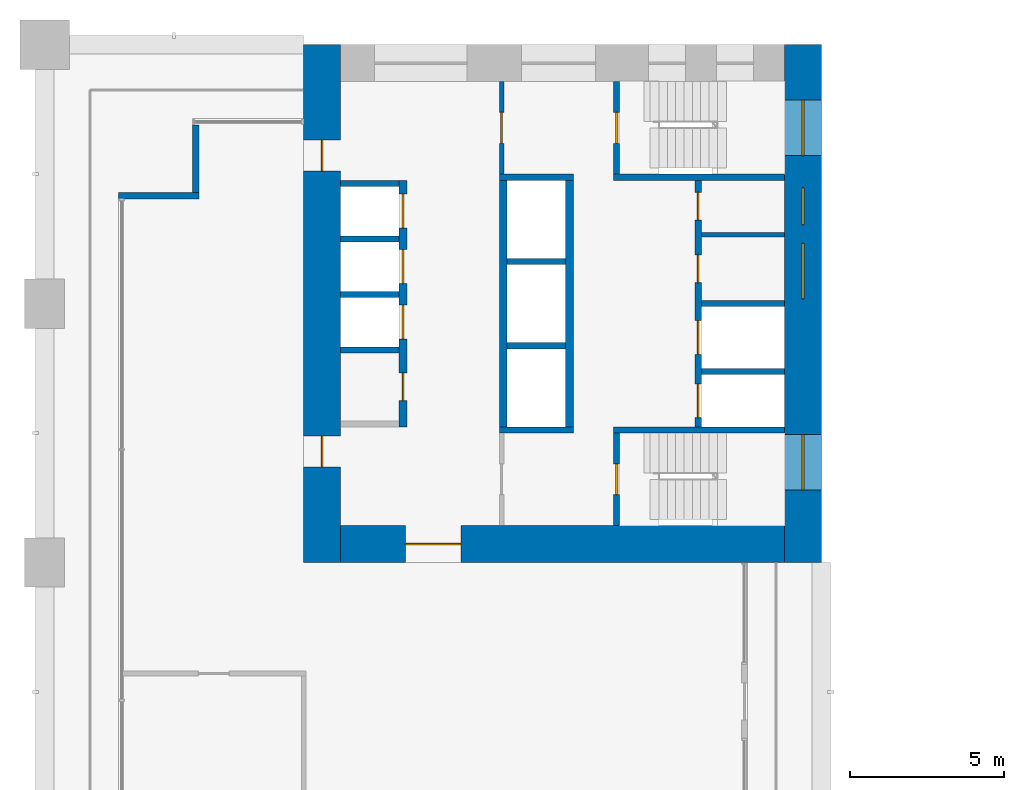
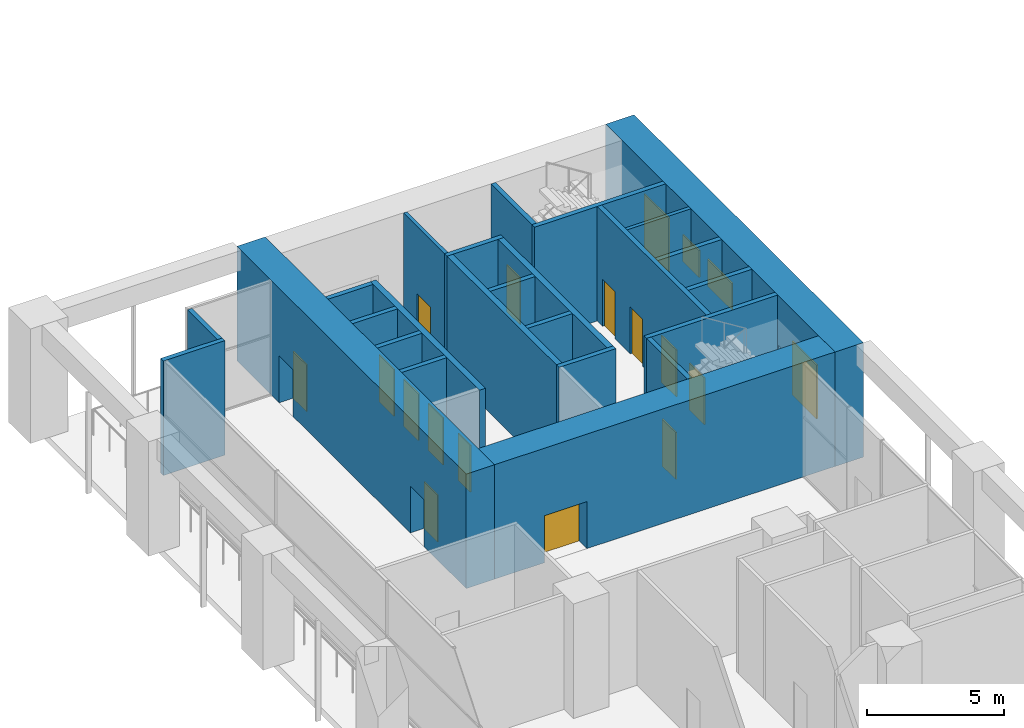
# One storey, part 17 of 32: 25 walls, 14 doors, 4 windows, 18 openings.
"""IFC4 building model written with IfcOpenShell, lengths in metres."""

import ifcopenshell
import ifcopenshell.guid

model = None  # the IFC model being written
_history = None  # IfcOwnerHistory: only IFC2X3 demands one
_inside = {}  # id of a spatial element -> (the spatial element, [elements in it])
_under = {}  # id of a project, library or spatial element -> (it, [spatial elements below it])
_declared = {}  # id of a project -> (the project, [libraries it declares])
_typed = {}  # id of a type object -> (the type object, [elements of that type])
_made_of = {}  # id of a material, layer set ... -> (it, [elements and type objects made of it])


def new_model(schema):
    """Start an empty IFC model of exactly this schema.

    Asked for "IFC4X3", IfcOpenShell would pick the latest addendum, in which some entities
    have other attributes; the version numbers below select the first issue.
    IFC2X3 requires an IfcOwnerHistory on every rooted entity: one is made here for all.
    """
    global model, _history
    if schema == "IFC4X3":
        model = ifcopenshell.file(schema_version=(4, 3, 0, 0))
    else:
        model = ifcopenshell.file(schema=schema)
    _inside.clear()
    _under.clear()
    _declared.clear()
    _typed.clear()
    _made_of.clear()
    _history = None
    if model.schema == "IFC2X3":
        org = make("IfcOrganization", Name="unknown")
        user = make(
            "IfcPersonAndOrganization",
            ThePerson=make("IfcPerson", FamilyName="unknown"),
            TheOrganization=org,
        )
        app = make(
            "IfcApplication",
            ApplicationDeveloper=org,
            Version="unknown",
            ApplicationFullName="unknown",
            ApplicationIdentifier="unknown",
        )
        _history = make(
            "IfcOwnerHistory",
            OwningUser=user,
            OwningApplication=app,
            ChangeAction="ADDED",
            CreationDate=0,
        )
    return model


def make(cls, **values):
    """One entity of the class cls with the attributes given. An attribute that is None is left unset."""
    return model.create_entity(
        cls, **{name: value for name, value in values.items() if value is not None}
    )


def rooted(cls, **values):
    """An entity with a GlobalId (a new one), such as an element, a storey or a relation."""
    return make(cls, GlobalId=ifcopenshell.guid.new(), OwnerHistory=_history, **values)


def si_unit(unit_type, name, prefix=None):
    """IfcSIUnit, for example si_unit("LENGTHUNIT", "METRE", prefix="MILLI")."""
    return make("IfcSIUnit", UnitType=unit_type, Prefix=prefix, Name=name)


def assignment(units):
    """IfcUnitAssignment: the units of a project."""
    return None if units is None else make("IfcUnitAssignment", Units=units)


def point(xyz):
    """IfcCartesianPoint."""
    return None if xyz is None else make("IfcCartesianPoint", Coordinates=xyz)


def direction(xyz):
    """IfcDirection."""
    return None if xyz is None else make("IfcDirection", DirectionRatios=xyz)


def frame(location, z_axis=None, x_axis=None):
    """IfcAxis2Placement3D, a coordinate frame: its origin and axes. An axis left out is left unset."""
    return make(
        "IfcAxis2Placement3D",
        Location=point(location),
        Axis=direction(z_axis),
        RefDirection=direction(x_axis),
    )


def frame_2d(location, x_axis=None):
    """IfcAxis2Placement2D, a coordinate frame in the plane: its origin and x axis."""
    return make(
        "IfcAxis2Placement2D", Location=point(location), RefDirection=direction(x_axis)
    )


def origin():
    """The frame at (0, 0, 0) with its axes left unset."""
    return frame((0.0, 0.0, 0.0))


def place(relative_to, where):
    """IfcLocalPlacement: puts the frame where relative to a parent placement (None: the world)."""
    return make(
        "IfcLocalPlacement", PlacementRelTo=relative_to, RelativePlacement=where
    )


def context(
    kind, dimensions, precision=None, world=None, true_north=None, identifier=None
):
    """IfcGeometricRepresentationContext, for example the 3D "Model" context."""
    return make(
        "IfcGeometricRepresentationContext",
        ContextIdentifier=identifier,
        ContextType=kind,
        CoordinateSpaceDimension=dimensions,
        Precision=precision,
        WorldCoordinateSystem=world,
        TrueNorth=true_north,
    )


def subcontext(parent, identifier, kind, view, scale=None):
    """IfcGeometricRepresentationSubContext, for example "Body" below "Model"."""
    return make(
        "IfcGeometricRepresentationSubContext",
        ContextIdentifier=identifier,
        ContextType=kind,
        ParentContext=parent,
        TargetScale=scale,
        TargetView=view,
    )


def project(units=None, contexts=None):
    """IfcProject with its units and contexts."""
    return rooted(
        "IfcProject",
        Name="project",
        RepresentationContexts=contexts,
        UnitsInContext=assignment(units),
    )


def spatial(cls, under=None, at=None, **own):
    """A site, building, storey or space (cls), placed at a placement, below another one or the project."""
    s = rooted(cls, ObjectPlacement=at, **own)
    if under is not None:
        _under.setdefault(under.id(), (under, []))[1].append(s)
    return s


def profile(cls, at=None, kind="AREA", **sizes):
    """A parametric profile (cls). Its sizes go by their IFC names, for example OverallWidth=200.0."""
    return make(cls, ProfileType=kind, Position=at, **sizes)


def rectangle(**sizes):
    """IfcRectangleProfileDef."""
    return profile("IfcRectangleProfileDef", **sizes)


def extrude(swept, where, along, depth):
    """IfcExtrudedAreaSolid: the profile swept, set in the frame where, extruded along a direction by depth."""
    return make(
        "IfcExtrudedAreaSolid",
        SweptArea=swept,
        Position=where,
        ExtrudedDirection=direction(along),
        Depth=depth,
    )


def shape(context_of_items, identifier, shape_type, items):
    """IfcShapeRepresentation: the items that make up one representation, for example the "Body"."""
    return make(
        "IfcShapeRepresentation",
        ContextOfItems=context_of_items,
        RepresentationIdentifier=identifier,
        RepresentationType=shape_type,
        Items=items,
    )


def material(Name=None, Category=None):
    """IfcMaterial."""
    return make("IfcMaterial", Name=Name, Category=Category)


def layer(
    of_material, thickness, ventilated=None, Name=None, Category=None, Priority=None
):
    """IfcMaterialLayer: one layer of a wall or slab, of a material (None: an air gap)."""
    return make(
        "IfcMaterialLayer",
        Material=of_material,
        LayerThickness=thickness,
        IsVentilated=ventilated,
        Name=Name,
        Category=Category,
        Priority=Priority,
    )


def layer_set(layers, Name=None):
    """IfcMaterialLayerSet."""
    return make("IfcMaterialLayerSet", MaterialLayers=layers, LayerSetName=Name)


def made_of(thing, what):
    """Note that an element or type object is made of a material, layer set ...; save() writes the relation."""
    if what is not None:
        _made_of.setdefault(what.id(), (what, []))[1].append(thing)
    return thing


def type_object(cls, material=None, **own):
    """A type object (cls), such as IfcWallType, which elements share."""
    return made_of(rooted(cls, **own), material)


def element(
    cls,
    number,
    at=None,
    inside=None,
    cuts=None,
    type_object=None,
    material=None,
    context=None,
    identifier="Body",
    shape_type=None,
    held_by="IfcProductDefinitionShape",
    body=None,
    shapes=None,
    **own,
):
    """One element of the class cls, such as IfcWall. Its Tag is "e" and its number.

    at: its placement. inside: the storey or other place that contains it. cuts: it is an
    opening in that element (IfcRelVoidsElement). A single representation is given by context,
    identifier, shape_type and body (its items); several are given by shapes. held_by: the class
    of the entity that holds the representations. save() writes the other relations.
    """
    e = rooted(cls, Tag="e%d" % number, ObjectPlacement=at, **own)
    if body is not None:
        shapes = [shape(context, identifier, shape_type, body)]
    if shapes is not None:
        e.Representation = make(held_by, Representations=shapes)
    if inside is not None:
        _inside.setdefault(inside.id(), (inside, []))[1].append(e)
    if cuts is not None:
        rooted(
            "IfcRelVoidsElement", RelatingBuildingElement=cuts, RelatedOpeningElement=e
        )
    if type_object is not None:
        _typed.setdefault(type_object.id(), (type_object, []))[1].append(e)
    return made_of(e, material)


def fill(opening, filler):
    """IfcRelFillsElement: the door or window that sits in an opening."""
    return rooted(
        "IfcRelFillsElement",
        RelatingOpeningElement=opening,
        RelatedBuildingElement=filler,
    )


def aggregate(whole, parts):
    """IfcRelAggregates: a whole, such as a stair, and the parts it consists of."""
    return rooted("IfcRelAggregates", RelatingObject=whole, RelatedObjects=parts)


def save(model, path):
    """Write the relations noted so far, then the file.

    IfcRelAggregates (storeys below a building ...), IfcRelContainedInSpatialStructure (elements
    in a storey), IfcRelDefinesByType, IfcRelAssociatesMaterial and IfcRelDeclares: one each for
    every whole, place, type object, material and project.
    """
    for whole, parts in _under.values():
        aggregate(whole, parts)
    for where, things in _inside.values():
        rooted(
            "IfcRelContainedInSpatialStructure",
            RelatedElements=things,
            RelatingStructure=where,
        )
    for kind, things in _typed.values():
        rooted("IfcRelDefinesByType", RelatedObjects=things, RelatingType=kind)
    for what, things in _made_of.values():
        rooted("IfcRelAssociatesMaterial", RelatedObjects=things, RelatingMaterial=what)
    for by, libraries in _declared.values():
        rooted("IfcRelDeclares", RelatingContext=by, RelatedDefinitions=libraries)
    model.write(path)


model = new_model("IFC4")

# Units and contexts
model_context = context("Model", 3, precision=1e-05, world=origin(), true_north=direction((0.0, 1.0)))
body_context = subcontext(model_context, "Body", "Model", "MODEL_VIEW")
ifc_project = project(units=[si_unit("LENGTHUNIT", "METRE"), si_unit("AREAUNIT", "SQUARE_METRE"), si_unit("VOLUMEUNIT", "CUBIC_METRE"), si_unit("PLANEANGLEUNIT", "RADIAN"), si_unit("MASSUNIT", "GRAM", prefix="KILO")], contexts=[model_context])

# Site, building, storey
site_placement = place(None, origin())
site = spatial("IfcSite", under=ifc_project, at=site_placement, CompositionType="ELEMENT")
building_placement = place(site_placement, origin())
building = spatial("IfcBuilding", under=site, at=building_placement, Name="Vermilion Gate Residences", CompositionType="ELEMENT")
storey_placement = place(building_placement, frame((0.0, 0.0, 19.800048828125)))
storey = spatial("IfcBuildingStorey", under=building, at=storey_placement, Name="L03", CompositionType="ELEMENT", Elevation=19.800048828125)

# Wall
ifc_material_1 = material(Name="Masonry blockwork", Category="masonry")
ifc_layer_1 = layer(ifc_material_1, 0.14990234375)
ifc_layer_set_1 = layer_set([ifc_layer_1], Name="BLOCKWORK PARTITION 150 EI 120")
wall_type_1 = type_object("IfcWallType", Name="BLOCKWORK PARTITION 150 EI 120", PredefinedType="PARTITIONING", material=ifc_layer_set_1)
wall_1_placement = place(storey_placement, frame((21.300048828125, 52.637451171875, 0.0), z_axis=(0.0, 0.0, 1.0), x_axis=(1.0, 0.0, 0.0)))
element("IfcWall", 1, at=wall_1_placement, inside=storey, type_object=wall_type_1, Name="Core room partition B03-NR-P0", PredefinedType="PARTITIONING", context=body_context, shape_type="SweptSolid", body=[
    extrude(rectangle(XDim=2.699951171875, YDim=0.14990234375, at=frame_2d((1.35009765625, 0.0))), origin(), (0.0, 0.0, 1.0), 5.119873046875),
])

# Wall, opening, door
wall_2_placement = place(storey_placement, frame((14.824951171875, 57.60009765625, 0.0), z_axis=(0.0, 0.0, 1.0), x_axis=(0.0, -1.0, 0.0)))
wall_2 = element("IfcWall", 2, at=wall_2_placement, inside=storey, type_object=wall_type_1, Name="Core room partition B03-VW-S", PredefinedType="PARTITIONING", context=body_context, shape_type="SweptSolid", body=[
    extrude(rectangle(XDim=3.0, YDim=0.14990234375, at=frame_2d((1.5, 0.0))), origin(), (0.0, 0.0, 1.0), 5.119873046875),
])
opening_1_placement = place(wall_2_placement, frame((1.0, 0.0, 0.0)))
opening_1 = element("IfcOpeningElement", 3, at=opening_1_placement, cuts=wall_2, Name="Opening DK03112", PredefinedType="OPENING", context=body_context, shape_type="SweptSolid", body=[
    extrude(rectangle(XDim=1.0, YDim=2.10009765625, at=frame_2d((0.5, 1.050048828125))), frame((0.0, 0.0849609375, 0.0), z_axis=(0.0, -1.0, 0.0), x_axis=(1.0, 0.0, 0.0)), (0.0, 0.0, 1.0), 0.169921875),
])
ifc_material_2 = material(Name="Steel", Category="steel")
door_type_1 = type_object("IfcDoorType", Name="FIRE DOOR FD60 1000 X 2100", OperationType="SINGLE_SWING_LEFT", PredefinedType="DOOR", material=ifc_material_2)
door_1_placement = place(opening_1_placement, frame((1.0, 0.0, 0.0), z_axis=(0.0, 0.0, 1.0), x_axis=(-1.0, 0.0, 0.0)))
door_1 = element("IfcDoor", 4, at=door_1_placement, inside=storey, type_object=door_type_1, Name="Stair vestibule door B03", OperationType="SINGLE_SWING_RIGHT", OverallHeight=2.10009765625, OverallWidth=1.0, PredefinedType="DOOR", context=body_context, shape_type="SweptSolid", body=[
    extrude(rectangle(XDim=1.0, YDim=2.10009765625, at=frame_2d((0.5, 1.050048828125))), frame((0.0, 0.02490234375, 0.0), z_axis=(0.0, -1.0, 0.0), x_axis=(1.0, 0.0, 0.0)), (0.0, 0.0, 1.0), 0.050048828125),
])
fill(opening_1, door_1)

# Walls
ifc_material_3 = material(Name="Insulated steel stud wall with terracotta rainscreen", Category="masonry")
ifc_layer_2 = layer(ifc_material_3, 0.199951171875)
ifc_layer_set_2 = layer_set([ifc_layer_2], Name="EXTERNAL WALL 200 TERRACOTTA RAINSCREEN")
wall_type_2 = type_object("IfcWallType", Name="EXTERNAL WALL 200 TERRACOTTA RAINSCREEN", PredefinedType="SOLIDWALL", material=ifc_layer_set_2)
wall_3_placement = place(storey_placement, frame((4.89990234375, 56.199951171875, 0.0), z_axis=(0.0, 0.0, 1.0), x_axis=(0.0, -1.0, 0.0)))
element("IfcWall", 5, at=wall_3_placement, inside=storey, type_object=wall_type_2, Name="External wall", PredefinedType="SOLIDWALL", context=body_context, shape_type="SweptSolid", body=[
    extrude(rectangle(XDim=2.199951171875, YDim=0.199951171875, at=frame_2d((1.10009765625, 0.0))), origin(), (0.0, 0.0, 1.0), 5.119873046875),
])
wall_4_placement = place(storey_placement, frame((5.0, 53.89990234375, 0.0), z_axis=(0.0, 0.0, 1.0), x_axis=(-1.0, 0.0, 0.0)))
element("IfcWall", 6, at=wall_4_placement, inside=storey, type_object=wall_type_2, Name="External wall", PredefinedType="SOLIDWALL", context=body_context, shape_type="SweptSolid", body=[
    extrude(rectangle(XDim=2.60009765625, YDim=0.199951171875, at=frame_2d((1.300048828125, 0.0))), origin(), (0.0, 0.0, 1.0), 5.119873046875),
])
ifc_material_4 = material(Name="Concrete C60", Category="concrete")
ifc_layer_3 = layer(ifc_material_4, 0.199951171875)
ifc_layer_set_3 = layer_set([ifc_layer_3], Name="RC CORE INTERNAL WALL 200 C60")
wall_type_3 = type_object("IfcWallType", Name="RC CORE INTERNAL WALL 200 C60", PredefinedType="SHEAR", material=ifc_layer_set_3)
for number, where, z_axis, x_axis, name in (
    (7, (9.60009765625, 54.300048828125, 0.0), (0.0, 0.0, 1.0), (1.0, 0.0, 0.0), "Core internal wall B03-LR-D0"),
    (8, (9.60009765625, 52.5, 0.0), (0.0, 0.0, 1.0), (1.0, 0.0, 0.0), "Core internal wall B03-LR-D1"),
    (9, (9.60009765625, 50.699951171875, 0.0), (0.0, 0.0, 1.0), (1.0, 0.0, 0.0), "Core internal wall B03-LR-D2"),
    (10, (9.60009765625, 48.89990234375, 0.0), (0.0, 0.0, 1.0), (1.0, 0.0, 0.0), "Core internal wall B03-LR-D3"),
    (11, (15.0, 51.7666015625, 0.0), (0.0, 0.0, 1.0), (1.0, 0.0, 0.0), "Core internal wall B03-HR-D1"),
    (12, (15.0, 49.033447265625, 0.0), (0.0, 0.0, 1.0), (1.0, 0.0, 0.0), "Core internal wall B03-HR-D2"),
):
    element("IfcWall", number, at=place(storey_placement, frame(where, z_axis=z_axis, x_axis=x_axis)), inside=storey, type_object=wall_type_3, Name=name, PredefinedType="SHEAR", context=body_context, shape_type="SweptSolid", body=[
        extrude(rectangle(XDim=1.89990234375, YDim=0.199951171875, at=frame_2d((0.949951171875, 0.0))), origin(), (0.0, 0.0, 1.0), 5.119873046875),
    ])
for number, where, z_axis, x_axis, name in (
    (13, (21.300048828125, 50.39990234375, 0.0), (0.0, 0.0, 1.0), (1.0, 0.0, 0.0), "Core internal wall B03-FF-D0"),
    (14, (21.300048828125, 48.199951171875, 0.0), (0.0, 0.0, 1.0), (1.0, 0.0, 0.0), "Core internal wall B03-FF-D1"),
):
    element("IfcWall", number, at=place(storey_placement, frame(where, z_axis=z_axis, x_axis=x_axis)), inside=storey, type_object=wall_type_3, Name=name, PredefinedType="SHEAR", context=body_context, shape_type="SweptSolid", body=[
        extrude(rectangle(XDim=2.699951171875, YDim=0.199951171875, at=frame_2d((1.35009765625, 0.0))), origin(), (0.0, 0.0, 1.0), 5.119873046875),
    ])

# Wall, openings, doors
wall_5_placement = place(storey_placement, frame((21.199951171875, 54.39990234375, 0.0), z_axis=(0.0, 0.0, 1.0), x_axis=(0.0, -1.0, 0.0)))
wall_5 = element("IfcWall", 15, at=wall_5_placement, inside=storey, type_object=wall_type_3, Name="Core internal wall B03-FF-F", PredefinedType="SHEAR", context=body_context, shape_type="SweptSolid", body=[
    extrude(rectangle(XDim=8.0, YDim=0.199951171875, at=frame_2d((4.0, 0.0))), origin(), (0.0, 0.0, 1.0), 5.119873046875),
])
opening_2_placement = place(wall_5_placement, frame((0.393798828125, 0.0, 0.0)))
opening_2 = element("IfcOpeningElement", 16, at=opening_2_placement, cuts=wall_5, Name="Opening DK03108", PredefinedType="OPENING", context=body_context, shape_type="SweptSolid", body=[
    extrude(rectangle(XDim=0.89990234375, YDim=2.10009765625, at=frame_2d((0.449951171875, 1.050048828125))), frame((0.0, 0.10986328125, 0.0), z_axis=(0.0, -1.0, 0.0), x_axis=(1.0, 0.0, 0.0)), (0.0, 0.0, 1.0), 0.219970703125),
])
opening_3_placement = place(wall_5_placement, frame((2.418701171875, 0.0, 0.0)))
opening_3 = element("IfcOpeningElement", 17, at=opening_3_placement, cuts=wall_5, Name="Opening DK03109", PredefinedType="OPENING", context=body_context, shape_type="SweptSolid", body=[
    extrude(rectangle(XDim=0.89990234375, YDim=2.10009765625, at=frame_2d((0.449951171875, 1.050048828125))), frame((0.0, 0.10986328125, 0.0), z_axis=(0.0, -1.0, 0.0), x_axis=(1.0, 0.0, 0.0)), (0.0, 0.0, 1.0), 0.219970703125),
])
opening_4_placement = place(wall_5_placement, frame((4.550048828125, 0.0, 0.0)))
opening_4 = element("IfcOpeningElement", 18, at=opening_4_placement, cuts=wall_5, Name="Opening LD", PredefinedType="OPENING", context=body_context, shape_type="SweptSolid", body=[
    extrude(rectangle(XDim=1.10009765625, YDim=2.10009765625, at=frame_2d((0.550048828125, 1.050048828125))), frame((0.0, 0.10986328125, 0.0), z_axis=(0.0, -1.0, 0.0), x_axis=(1.0, 0.0, 0.0)), (0.0, 0.0, 1.0), 0.219970703125),
])
opening_5_placement = place(wall_5_placement, frame((6.60009765625, 0.0, 0.0)))
opening_5 = element("IfcOpeningElement", 19, at=opening_5_placement, cuts=wall_5, Name="Opening LD", PredefinedType="OPENING", context=body_context, shape_type="SweptSolid", body=[
    extrude(rectangle(XDim=1.10009765625, YDim=2.10009765625, at=frame_2d((0.550048828125, 1.050048828125))), frame((0.0, 0.10986328125, 0.0), z_axis=(0.0, -1.0, 0.0), x_axis=(1.0, 0.0, 0.0)), (0.0, 0.0, 1.0), 0.219970703125),
])
ifc_material_5 = material(Name="Stainless steel", Category="steel")
door_type_2 = type_object("IfcDoorType", Name="LIFT LANDING DOOR E60 1100 X 2100", OperationType="DOUBLE_DOOR_SLIDING", PredefinedType="DOOR", material=ifc_material_5)
door_2_placement = place(opening_4_placement, origin())
door_2 = element("IfcDoor", 20, at=door_2_placement, inside=storey, type_object=door_type_2, Name="Lift landing door LFB1", OperationType="DOUBLE_DOOR_SLIDING", OverallHeight=2.10009765625, OverallWidth=1.10009765625, PredefinedType="DOOR", context=body_context, shape_type="SweptSolid", body=[
    extrude(rectangle(XDim=1.10009765625, YDim=2.10009765625, at=frame_2d((0.550048828125, 1.050048828125))), frame((0.0, 0.02490234375, 0.0), z_axis=(0.0, -1.0, 0.0), x_axis=(1.0, 0.0, 0.0)), (0.0, 0.0, 1.0), 0.050048828125),
])
fill(opening_4, door_2)
door_3_placement = place(opening_5_placement, origin())
door_3 = element("IfcDoor", 21, at=door_3_placement, inside=storey, type_object=door_type_2, Name="Lift landing door LCB1", OperationType="DOUBLE_DOOR_SLIDING", OverallHeight=2.10009765625, OverallWidth=1.10009765625, PredefinedType="DOOR", context=body_context, shape_type="SweptSolid", body=[
    extrude(rectangle(XDim=1.10009765625, YDim=2.10009765625, at=frame_2d((0.550048828125, 1.050048828125))), frame((0.0, 0.02490234375, 0.0), z_axis=(0.0, -1.0, 0.0), x_axis=(1.0, 0.0, 0.0)), (0.0, 0.0, 1.0), 0.050048828125),
])
fill(opening_5, door_3)
ifc_material_6 = material(Name="Steel", Category="steel")
door_type_3 = type_object("IfcDoorType", Name="SERVICE ROOM DOOR FD60 900 X 2100", OperationType="SINGLE_SWING_LEFT", PredefinedType="DOOR", material=ifc_material_6)
door_4_placement = place(opening_2_placement, origin())
door_4 = element("IfcDoor", 22, at=door_4_placement, inside=storey, type_object=door_type_3, Name="Electrical riser B03", OperationType="SINGLE_SWING_RIGHT", OverallHeight=2.10009765625, OverallWidth=0.89990234375, PredefinedType="DOOR", context=body_context, shape_type="SweptSolid", body=[
    extrude(rectangle(XDim=0.89990234375, YDim=2.10009765625, at=frame_2d((0.449951171875, 1.050048828125))), frame((0.0, 0.02490234375, 0.0), z_axis=(0.0, -1.0, 0.0), x_axis=(1.0, 0.0, 0.0)), (0.0, 0.0, 1.0), 0.050048828125),
])
fill(opening_2, door_4)
door_5_placement = place(opening_3_placement, origin())
door_5 = element("IfcDoor", 23, at=door_5_placement, inside=storey, type_object=door_type_3, Name="Cleaner's store B03", OperationType="SINGLE_SWING_RIGHT", OverallHeight=2.10009765625, OverallWidth=0.89990234375, PredefinedType="DOOR", context=body_context, shape_type="SweptSolid", body=[
    extrude(rectangle(XDim=0.89990234375, YDim=2.10009765625, at=frame_2d((0.449951171875, 1.050048828125))), frame((0.0, 0.02490234375, 0.0), z_axis=(0.0, -1.0, 0.0), x_axis=(1.0, 0.0, 0.0)), (0.0, 0.0, 1.0), 0.050048828125),
])
fill(opening_3, door_5)

# Walls
wall_6_placement = place(storey_placement, frame((14.75, 54.5, 0.0), z_axis=(0.0, 0.0, 1.0), x_axis=(1.0, 0.0, 0.0)))
element("IfcWall", 24, at=wall_6_placement, inside=storey, type_object=wall_type_3, Name="Core internal wall B03-WDIV1", PredefinedType="SHEAR", context=body_context, shape_type="SweptSolid", body=[
    extrude(rectangle(XDim=2.39990234375, YDim=0.199951171875, at=frame_2d((1.199951171875, 0.0))), origin(), (0.0, 0.0, 1.0), 5.119873046875),
])
wall_7_placement = place(storey_placement, frame((18.449951171875, 54.5, 0.0), z_axis=(0.0, 0.0, 1.0), x_axis=(1.0, 0.0, 0.0)))
element("IfcWall", 25, at=wall_7_placement, inside=storey, type_object=wall_type_3, Name="Core internal wall B03-WDIV2", PredefinedType="SHEAR", context=body_context, shape_type="SweptSolid", body=[
    extrude(rectangle(XDim=5.550048828125, YDim=0.199951171875, at=frame_2d((2.77490234375, 0.0))), origin(), (0.0, 0.0, 1.0), 5.119873046875),
])

# Wall, opening, door
wall_8_placement = place(storey_placement, frame((18.550048828125, 57.60009765625, 0.0), z_axis=(0.0, 0.0, 1.0), x_axis=(0.0, -1.0, 0.0)))
wall_8 = element("IfcWall", 26, at=wall_8_placement, inside=storey, type_object=wall_type_3, Name="Core internal wall B03-STW-S", PredefinedType="SHEAR", context=body_context, shape_type="SweptSolid", body=[
    extrude(rectangle(XDim=3.0, YDim=0.199951171875, at=frame_2d((1.5, 0.0))), origin(), (0.0, 0.0, 1.0), 5.119873046875),
])
opening_6_placement = place(wall_8_placement, frame((1.0, 0.0, 0.0)))
opening_6 = element("IfcOpeningElement", 27, at=opening_6_placement, cuts=wall_8, Name="Opening DK03113", PredefinedType="OPENING", context=body_context, shape_type="SweptSolid", body=[
    extrude(rectangle(XDim=1.0, YDim=2.10009765625, at=frame_2d((0.5, 1.050048828125))), frame((0.0, 0.10986328125, 0.0), z_axis=(0.0, -1.0, 0.0), x_axis=(1.0, 0.0, 0.0)), (0.0, 0.0, 1.0), 0.219970703125),
])
door_6_placement = place(opening_6_placement, origin())
door_6 = element("IfcDoor", 28, at=door_6_placement, inside=storey, type_object=door_type_1, Name="Stair door B03", OperationType="SINGLE_SWING_LEFT", OverallHeight=2.10009765625, OverallWidth=1.0, PredefinedType="DOOR", context=body_context, shape_type="SweptSolid", body=[
    extrude(rectangle(XDim=1.0, YDim=2.10009765625, at=frame_2d((0.5, 1.050048828125))), frame((0.0, 0.02490234375, 0.0), z_axis=(0.0, -1.0, 0.0), x_axis=(1.0, 0.0, 0.0)), (0.0, 0.0, 1.0), 0.050048828125),
])
fill(opening_6, door_6)

# Walls
wall_9_placement = place(storey_placement, frame((14.75, 46.300048828125, 0.0), z_axis=(0.0, 0.0, 1.0), x_axis=(1.0, 0.0, 0.0)))
element("IfcWall", 29, at=wall_9_placement, inside=storey, type_object=wall_type_3, Name="Core internal wall B03-EDIV1", PredefinedType="SHEAR", context=body_context, shape_type="SweptSolid", body=[
    extrude(rectangle(XDim=2.39990234375, YDim=0.199951171875, at=frame_2d((1.199951171875, 0.0))), origin(), (0.0, 0.0, 1.0), 5.119873046875),
])
wall_10_placement = place(storey_placement, frame((18.449951171875, 46.300048828125, 0.0), z_axis=(0.0, 0.0, 1.0), x_axis=(1.0, 0.0, 0.0)))
element("IfcWall", 30, at=wall_10_placement, inside=storey, type_object=wall_type_3, Name="Core internal wall B03-EDIV2", PredefinedType="SHEAR", context=body_context, shape_type="SweptSolid", body=[
    extrude(rectangle(XDim=5.550048828125, YDim=0.199951171875, at=frame_2d((2.77490234375, 0.0))), origin(), (0.0, 0.0, 1.0), 5.119873046875),
])

# Wall, opening, door
wall_11_placement = place(storey_placement, frame((18.550048828125, 46.199951171875, 0.0), z_axis=(0.0, 0.0, 1.0), x_axis=(0.0, -1.0, 0.0)))
wall_11 = element("IfcWall", 31, at=wall_11_placement, inside=storey, type_object=wall_type_3, Name="Core internal wall B03-STE-S", PredefinedType="SHEAR", context=body_context, shape_type="SweptSolid", body=[
    extrude(rectangle(XDim=3.0, YDim=0.199951171875, at=frame_2d((1.5, 0.0))), origin(), (0.0, 0.0, 1.0), 5.119873046875),
])
opening_7_placement = place(wall_11_placement, frame((1.0, 0.0, 0.0)))
opening_7 = element("IfcOpeningElement", 32, at=opening_7_placement, cuts=wall_11, Name="Opening DK03115", PredefinedType="OPENING", context=body_context, shape_type="SweptSolid", body=[
    extrude(rectangle(XDim=1.0, YDim=2.10009765625, at=frame_2d((0.5, 1.050048828125))), frame((0.0, 0.10986328125, 0.0), z_axis=(0.0, -1.0, 0.0), x_axis=(1.0, 0.0, 0.0)), (0.0, 0.0, 1.0), 0.219970703125),
])
door_7_placement = place(opening_7_placement, origin())
door_7 = element("IfcDoor", 33, at=door_7_placement, inside=storey, type_object=door_type_1, Name="Stair door B03", OperationType="SINGLE_SWING_LEFT", OverallHeight=2.10009765625, OverallWidth=1.0, PredefinedType="DOOR", context=body_context, shape_type="SweptSolid", body=[
    extrude(rectangle(XDim=1.0, YDim=2.10009765625, at=frame_2d((0.5, 1.050048828125))), frame((0.0, 0.02490234375, 0.0), z_axis=(0.0, -1.0, 0.0), x_axis=(1.0, 0.0, 0.0)), (0.0, 0.0, 1.0), 0.050048828125),
])
fill(opening_7, door_7)

# Wall, openings, doors
ifc_material_7 = material(Name="Concrete C80", Category="concrete")
ifc_layer_4 = layer(ifc_material_7, 1.199951171875)
ifc_layer_set_4 = layer_set([ifc_layer_4], Name="RC CORE WALL 1200 C80")
wall_type_4 = type_object("IfcWallType", Name="RC CORE WALL 1200 C80", PredefinedType="SHEAR", material=ifc_layer_set_4)
wall_12_placement = place(storey_placement, frame((9.0, 58.800048828125, 0.0), z_axis=(0.0, 0.0, 1.0), x_axis=(0.0, -1.0, 0.0)))
wall_12 = element("IfcWall", 34, at=wall_12_placement, inside=storey, type_object=wall_type_4, Name="Core wall B03-OUT-B0", PredefinedType="SHEAR", context=body_context, shape_type="SweptSolid", body=[
    extrude(rectangle(XDim=16.800048828125, YDim=1.199951171875, at=frame_2d((8.39990234375, 0.0))), origin(), (0.0, 0.0, 1.0), 5.119873046875),
])
opening_8_placement = place(wall_12_placement, frame((3.10009765625, 0.0, 0.0)))
opening_8 = element("IfcOpeningElement", 35, at=opening_8_placement, cuts=wall_12, Name="Opening DK03101", PredefinedType="OPENING", context=body_context, shape_type="SweptSolid", body=[
    extrude(rectangle(XDim=1.0, YDim=2.10009765625, at=frame_2d((0.5, 1.050048828125))), frame((0.0, 0.60986328125, 0.0), z_axis=(0.0, -1.0, 0.0), x_axis=(1.0, 0.0, 0.0)), (0.0, 0.0, 1.0), 1.219970703125),
])
opening_9_placement = place(wall_12_placement, frame((12.699951171875, 0.0, 0.0)))
opening_9 = element("IfcOpeningElement", 36, at=opening_9_placement, cuts=wall_12, Name="Opening DK03102", PredefinedType="OPENING", context=body_context, shape_type="SweptSolid", body=[
    extrude(rectangle(XDim=1.0, YDim=2.10009765625, at=frame_2d((0.5, 1.050048828125))), frame((0.0, 0.60986328125, 0.0), z_axis=(0.0, -1.0, 0.0), x_axis=(1.0, 0.0, 0.0)), (0.0, 0.0, 1.0), 1.219970703125),
])
door_8_placement = place(opening_8_placement, origin())
door_8 = element("IfcDoor", 37, at=door_8_placement, inside=storey, type_object=door_type_1, Name="Core lobby side door B03", OperationType="SINGLE_SWING_RIGHT", OverallHeight=2.10009765625, OverallWidth=1.0, PredefinedType="DOOR", context=body_context, shape_type="SweptSolid", body=[
    extrude(rectangle(XDim=1.0, YDim=2.10009765625, at=frame_2d((0.5, 1.050048828125))), frame((0.0, 0.02490234375, 0.0), z_axis=(0.0, -1.0, 0.0), x_axis=(1.0, 0.0, 0.0)), (0.0, 0.0, 1.0), 0.050048828125),
])
fill(opening_8, door_8)
door_9_placement = place(opening_9_placement, origin())
door_9 = element("IfcDoor", 38, at=door_9_placement, inside=storey, type_object=door_type_1, Name="Core lobby side door B03", OperationType="SINGLE_SWING_LEFT", OverallHeight=2.10009765625, OverallWidth=1.0, PredefinedType="DOOR", context=body_context, shape_type="SweptSolid", body=[
    extrude(rectangle(XDim=1.0, YDim=2.10009765625, at=frame_2d((0.5, 1.050048828125))), frame((0.0, 0.02490234375, 0.0), z_axis=(0.0, -1.0, 0.0), x_axis=(1.0, 0.0, 0.0)), (0.0, 0.0, 1.0), 0.050048828125),
])
fill(opening_9, door_9)

# Wall, opening, door
wall_13_placement = place(storey_placement, frame((9.60009765625, 42.60009765625, 0.0), z_axis=(0.0, 0.0, 1.0), x_axis=(1.0, 0.0, 0.0)))
wall_13 = element("IfcWall", 39, at=wall_13_placement, inside=storey, type_object=wall_type_4, Name="Core wall B03-OUT-BK", PredefinedType="SHEAR", context=body_context, shape_type="SweptSolid", body=[
    extrude(rectangle(XDim=14.39990234375, YDim=1.199951171875, at=frame_2d((7.199951171875, 0.0))), origin(), (0.0, 0.0, 1.0), 5.119873046875),
])
opening_10_placement = place(wall_13_placement, frame((2.10009765625, 0.0, 0.0)))
opening_10 = element("IfcOpeningElement", 40, at=opening_10_placement, cuts=wall_13, Name="Opening DK03103", PredefinedType="OPENING", context=body_context, shape_type="SweptSolid", body=[
    extrude(rectangle(XDim=1.800048828125, YDim=2.10009765625, at=frame_2d((0.89990234375, 1.050048828125))), frame((0.0, 0.60986328125, 0.0), z_axis=(0.0, -1.0, 0.0), x_axis=(1.0, 0.0, 0.0)), (0.0, 0.0, 1.0), 1.219970703125),
])
ifc_material_8 = material(Name="Steel", Category="steel")
door_type_4 = type_object("IfcDoorType", Name="CORE LOBBY DOOR FD60 1800 X 2100", OperationType="DOUBLE_DOOR_SINGLE_SWING", PredefinedType="DOOR", material=ifc_material_8)
door_10_placement = place(opening_10_placement, frame((1.800048828125, 0.0, 0.0), z_axis=(0.0, 0.0, 1.0), x_axis=(-1.0, 0.0, 0.0)))
door_10 = element("IfcDoor", 41, at=door_10_placement, inside=storey, type_object=door_type_4, Name="Core lobby door B03", OperationType="DOUBLE_DOOR_SINGLE_SWING", OverallHeight=2.10009765625, OverallWidth=1.800048828125, PredefinedType="DOOR", context=body_context, shape_type="SweptSolid", body=[
    extrude(rectangle(XDim=1.800048828125, YDim=2.10009765625, at=frame_2d((0.89990234375, 1.050048828125))), frame((0.0, 0.02490234375, 0.0), z_axis=(0.0, -1.0, 0.0), x_axis=(1.0, 0.0, 0.0)), (0.0, 0.0, 1.0), 0.050048828125),
])
fill(opening_10, door_10)

# Wall, openings, windows
ifc_material_9 = material(Name="Concrete C80 red-oxide pigmented", Category="concrete")
ifc_layer_5 = layer(ifc_material_9, 1.199951171875)
ifc_layer_set_5 = layer_set([ifc_layer_5], Name="RC CORE WALL 1200 C80 RED OXIDE")
wall_type_5 = type_object("IfcWallType", Name="RC CORE WALL 1200 C80 RED OXIDE", PredefinedType="SHEAR", material=ifc_layer_set_5)
wall_14_placement = place(storey_placement, frame((24.60009765625, 58.800048828125, 0.0), z_axis=(0.0, 0.0, 1.0), x_axis=(0.0, -1.0, 0.0)))
wall_14 = element("IfcWall", 42, at=wall_14_placement, inside=storey, type_object=wall_type_5, Name="Core wall B03-OUT-B1", PredefinedType="SHEAR", context=body_context, shape_type="SweptSolid", body=[
    extrude(rectangle(XDim=16.800048828125, YDim=1.199951171875, at=frame_2d((8.39990234375, 0.0))), origin(), (0.0, 0.0, 1.0), 5.119873046875),
])
opening_11_placement = place(wall_14_placement, frame((1.800048828125, 0.0, 0.5)))
opening_11 = element("IfcOpeningElement", 43, at=opening_11_placement, cuts=wall_14, Name="Opening WKB0301", PredefinedType="OPENING", context=body_context, shape_type="SweptSolid", body=[
    extrude(rectangle(XDim=1.800048828125, YDim=2.39990234375, at=frame_2d((0.89990234375, 1.199951171875))), frame((0.0, 0.60986328125, 0.0), z_axis=(0.0, -1.0, 0.0), x_axis=(1.0, 0.0, 0.0)), (0.0, 0.0, 1.0), 1.219970703125),
])
opening_12_placement = place(wall_14_placement, frame((4.643798828125, 0.0, 1.60009765625)))
opening_12 = element("IfcOpeningElement", 44, at=opening_12_placement, cuts=wall_14, Name="Opening WKB0302", PredefinedType="OPENING", context=body_context, shape_type="SweptSolid", body=[
    extrude(rectangle(XDim=1.199951171875, YDim=1.199951171875, at=frame_2d((0.60009765625, 0.60009765625))), frame((0.0, 0.60986328125, 0.0), z_axis=(0.0, -1.0, 0.0), x_axis=(1.0, 0.0, 0.0)), (0.0, 0.0, 1.0), 1.219970703125),
])
opening_13_placement = place(wall_14_placement, frame((6.449951171875, 0.0, 1.60009765625)))
opening_13 = element("IfcOpeningElement", 45, at=opening_13_placement, cuts=wall_14, Name="Opening WKB0303", PredefinedType="OPENING", context=body_context, shape_type="SweptSolid", body=[
    extrude(rectangle(XDim=1.800048828125, YDim=1.199951171875, at=frame_2d((0.89990234375, 0.60009765625))), frame((0.0, 0.60986328125, 0.0), z_axis=(0.0, -1.0, 0.0), x_axis=(1.0, 0.0, 0.0)), (0.0, 0.0, 1.0), 1.219970703125),
])
opening_14_placement = place(wall_14_placement, frame((12.64990234375, 0.0, 0.5)))
opening_14 = element("IfcOpeningElement", 46, at=opening_14_placement, cuts=wall_14, Name="Opening WKB0304", PredefinedType="OPENING", context=body_context, shape_type="SweptSolid", body=[
    extrude(rectangle(XDim=1.800048828125, YDim=2.39990234375, at=frame_2d((0.89990234375, 1.199951171875))), frame((0.0, 0.60986328125, 0.0), z_axis=(0.0, -1.0, 0.0), x_axis=(1.0, 0.0, 0.0)), (0.0, 0.0, 1.0), 1.219970703125),
])
ifc_material_10 = material(Name="Aluminium frame with louvre blades", Category="aluminium")
window_type_1 = type_object("IfcWindowType", Name="CORE LOUVRE 1200 X 1200", PartitioningType="SINGLE_PANEL", PredefinedType="WINDOW", material=ifc_material_10)
window_1_placement = place(opening_12_placement, origin())
window_1 = element("IfcWindow", 47, at=window_1_placement, inside=storey, type_object=window_type_1, Name="Core louvre", OverallHeight=1.199951171875, OverallWidth=1.199951171875, PartitioningType="SINGLE_PANEL", PredefinedType="WINDOW", context=body_context, shape_type="SweptSolid", body=[
    extrude(rectangle(XDim=1.199951171875, YDim=1.199951171875, at=frame_2d((0.60009765625, 0.60009765625))), frame((0.0, 0.030029296875, 0.0), z_axis=(0.0, -1.0, 0.0), x_axis=(1.0, 0.0, 0.0)), (0.0, 0.0, 1.0), 0.06005859375),
])
fill(opening_12, window_1)
ifc_material_11 = material(Name="Aluminium frame with louvre blades", Category="aluminium")
window_type_2 = type_object("IfcWindowType", Name="CORE LOUVRE 1800 X 1200", PartitioningType="SINGLE_PANEL", PredefinedType="WINDOW", material=ifc_material_11)
window_2_placement = place(opening_13_placement, origin())
window_2 = element("IfcWindow", 48, at=window_2_placement, inside=storey, type_object=window_type_2, Name="Core louvre", OverallHeight=1.199951171875, OverallWidth=1.800048828125, PartitioningType="SINGLE_PANEL", PredefinedType="WINDOW", context=body_context, shape_type="SweptSolid", body=[
    extrude(rectangle(XDim=1.800048828125, YDim=1.199951171875, at=frame_2d((0.89990234375, 0.60009765625))), frame((0.0, 0.030029296875, 0.0), z_axis=(0.0, -1.0, 0.0), x_axis=(1.0, 0.0, 0.0)), (0.0, 0.0, 1.0), 0.06005859375),
])
fill(opening_13, window_2)
ifc_material_12 = material(Name="Aluminium and clear glass", Category="aluminium")
window_type_3 = type_object("IfcWindowType", Name="CORE STAIR WINDOW 1800 X 2400", PartitioningType="SINGLE_PANEL", PredefinedType="WINDOW", material=ifc_material_12)
window_3_placement = place(opening_11_placement, origin())
window_3 = element("IfcWindow", 49, at=window_3_placement, inside=storey, type_object=window_type_3, Name="Core stair window", OverallHeight=2.39990234375, OverallWidth=1.800048828125, PartitioningType="SINGLE_PANEL", PredefinedType="WINDOW", context=body_context, shape_type="SweptSolid", body=[
    extrude(rectangle(XDim=1.800048828125, YDim=2.39990234375, at=frame_2d((0.89990234375, 1.199951171875))), frame((0.0, 0.030029296875, 0.0), z_axis=(0.0, -1.0, 0.0), x_axis=(1.0, 0.0, 0.0)), (0.0, 0.0, 1.0), 0.06005859375),
])
fill(opening_11, window_3)
window_4_placement = place(opening_14_placement, origin())
window_4 = element("IfcWindow", 50, at=window_4_placement, inside=storey, type_object=window_type_3, Name="Core stair window", OverallHeight=2.39990234375, OverallWidth=1.800048828125, PartitioningType="SINGLE_PANEL", PredefinedType="WINDOW", context=body_context, shape_type="SweptSolid", body=[
    extrude(rectangle(XDim=1.800048828125, YDim=2.39990234375, at=frame_2d((0.89990234375, 1.199951171875))), frame((0.0, 0.030029296875, 0.0), z_axis=(0.0, -1.0, 0.0), x_axis=(1.0, 0.0, 0.0)), (0.0, 0.0, 1.0), 0.06005859375),
])
fill(opening_14, window_4)

# Wall, openings, doors
ifc_material_13 = material(Name="Concrete C60", Category="concrete")
ifc_layer_6 = layer(ifc_material_13, 0.25)
ifc_layer_set_6 = layer_set([ifc_layer_6], Name="RC LIFT SHAFT WALL 250 C60")
wall_type_6 = type_object("IfcWallType", Name="RC LIFT SHAFT WALL 250 C60", PredefinedType="SHEAR", material=ifc_layer_set_6)
wall_15_placement = place(storey_placement, frame((11.625, 54.39990234375, 0.0), z_axis=(0.0, 0.0, 1.0), x_axis=(0.0, -1.0, 0.0)))
wall_15 = element("IfcWall", 51, at=wall_15_placement, inside=storey, type_object=wall_type_6, Name="Lift shaft wall B03-LR-F", PredefinedType="SHEAR", context=body_context, shape_type="SweptSolid", body=[
    extrude(rectangle(XDim=8.0, YDim=0.25, at=frame_2d((4.0, 0.0))), origin(), (0.0, 0.0, 1.0), 5.119873046875),
])
opening_15_placement = place(wall_15_placement, frame((0.449951171875, 0.0, 0.0)))
opening_15 = element("IfcOpeningElement", 52, at=opening_15_placement, cuts=wall_15, Name="Opening LD", PredefinedType="OPENING", context=body_context, shape_type="SweptSolid", body=[
    extrude(rectangle(XDim=1.10009765625, YDim=2.10009765625, at=frame_2d((0.550048828125, 1.050048828125))), frame((0.0, 0.135009765625, 0.0), z_axis=(0.0, -1.0, 0.0), x_axis=(1.0, 0.0, 0.0)), (0.0, 0.0, 1.0), 0.27001953125),
])
opening_16_placement = place(wall_15_placement, frame((2.25, 0.0, 0.0)))
opening_16 = element("IfcOpeningElement", 53, at=opening_16_placement, cuts=wall_15, Name="Opening LD", PredefinedType="OPENING", context=body_context, shape_type="SweptSolid", body=[
    extrude(rectangle(XDim=1.10009765625, YDim=2.10009765625, at=frame_2d((0.550048828125, 1.050048828125))), frame((0.0, 0.135009765625, 0.0), z_axis=(0.0, -1.0, 0.0), x_axis=(1.0, 0.0, 0.0)), (0.0, 0.0, 1.0), 0.27001953125),
])
opening_17_placement = place(wall_15_placement, frame((4.050048828125, 0.0, 0.0)))
opening_17 = element("IfcOpeningElement", 54, at=opening_17_placement, cuts=wall_15, Name="Opening LD", PredefinedType="OPENING", context=body_context, shape_type="SweptSolid", body=[
    extrude(rectangle(XDim=1.10009765625, YDim=2.10009765625, at=frame_2d((0.550048828125, 1.050048828125))), frame((0.0, 0.135009765625, 0.0), z_axis=(0.0, -1.0, 0.0), x_axis=(1.0, 0.0, 0.0)), (0.0, 0.0, 1.0), 0.27001953125),
])
opening_18_placement = place(wall_15_placement, frame((6.25, 0.0, 0.0)))
opening_18 = element("IfcOpeningElement", 55, at=opening_18_placement, cuts=wall_15, Name="Opening DK03107", PredefinedType="OPENING", context=body_context, shape_type="SweptSolid", body=[
    extrude(rectangle(XDim=0.89990234375, YDim=2.10009765625, at=frame_2d((0.449951171875, 1.050048828125))), frame((0.0, 0.135009765625, 0.0), z_axis=(0.0, -1.0, 0.0), x_axis=(1.0, 0.0, 0.0)), (0.0, 0.0, 1.0), 0.27001953125),
])
door_11_placement = place(opening_15_placement, origin())
door_11 = element("IfcDoor", 56, at=door_11_placement, inside=storey, type_object=door_type_2, Name="Lift landing door LRB1", OperationType="DOUBLE_DOOR_SLIDING", OverallHeight=2.10009765625, OverallWidth=1.10009765625, PredefinedType="DOOR", context=body_context, shape_type="SweptSolid", body=[
    extrude(rectangle(XDim=1.10009765625, YDim=2.10009765625, at=frame_2d((0.550048828125, 1.050048828125))), frame((0.0, 0.02490234375, 0.0), z_axis=(0.0, -1.0, 0.0), x_axis=(1.0, 0.0, 0.0)), (0.0, 0.0, 1.0), 0.050048828125),
])
fill(opening_15, door_11)
door_12_placement = place(opening_16_placement, origin())
door_12 = element("IfcDoor", 57, at=door_12_placement, inside=storey, type_object=door_type_2, Name="Lift landing door LRB2", OperationType="DOUBLE_DOOR_SLIDING", OverallHeight=2.10009765625, OverallWidth=1.10009765625, PredefinedType="DOOR", context=body_context, shape_type="SweptSolid", body=[
    extrude(rectangle(XDim=1.10009765625, YDim=2.10009765625, at=frame_2d((0.550048828125, 1.050048828125))), frame((0.0, 0.02490234375, 0.0), z_axis=(0.0, -1.0, 0.0), x_axis=(1.0, 0.0, 0.0)), (0.0, 0.0, 1.0), 0.050048828125),
])
fill(opening_16, door_12)
door_13_placement = place(opening_17_placement, origin())
door_13 = element("IfcDoor", 58, at=door_13_placement, inside=storey, type_object=door_type_2, Name="Lift landing door LRB3", OperationType="DOUBLE_DOOR_SLIDING", OverallHeight=2.10009765625, OverallWidth=1.10009765625, PredefinedType="DOOR", context=body_context, shape_type="SweptSolid", body=[
    extrude(rectangle(XDim=1.10009765625, YDim=2.10009765625, at=frame_2d((0.550048828125, 1.050048828125))), frame((0.0, 0.02490234375, 0.0), z_axis=(0.0, -1.0, 0.0), x_axis=(1.0, 0.0, 0.0)), (0.0, 0.0, 1.0), 0.050048828125),
])
fill(opening_17, door_13)
door_14_placement = place(opening_18_placement, frame((0.89990234375, 0.0, 0.0), z_axis=(0.0, 0.0, 1.0), x_axis=(-1.0, 0.0, 0.0)))
door_14 = element("IfcDoor", 59, at=door_14_placement, inside=storey, type_object=door_type_3, Name="Parcel room B03", OperationType="SINGLE_SWING_RIGHT", OverallHeight=2.10009765625, OverallWidth=0.89990234375, PredefinedType="DOOR", context=body_context, shape_type="SweptSolid", body=[
    extrude(rectangle(XDim=0.89990234375, YDim=2.10009765625, at=frame_2d((0.449951171875, 1.050048828125))), frame((0.0, 0.02490234375, 0.0), z_axis=(0.0, -1.0, 0.0), x_axis=(1.0, 0.0, 0.0)), (0.0, 0.0, 1.0), 0.050048828125),
])
fill(opening_18, door_14)

# Walls
for number, where, z_axis, x_axis, name in (
    (60, (14.875, 54.39990234375, 0.0), (0.0, 0.0, 1.0), (0.0, -1.0, 0.0), "Lift shaft wall B03-HR-F"),
    (61, (17.02490234375, 54.39990234375, 0.0), (0.0, 0.0, 1.0), (0.0, -1.0, 0.0), "Lift shaft wall B03-HR-B"),
):
    element("IfcWall", number, at=place(storey_placement, frame(where, z_axis=z_axis, x_axis=x_axis)), inside=storey, type_object=wall_type_6, Name=name, PredefinedType="SHEAR", context=body_context, shape_type="SweptSolid", body=[
        extrude(rectangle(XDim=8.0, YDim=0.25, at=frame_2d((4.0, 0.0))), origin(), (0.0, 0.0, 1.0), 5.119873046875),
    ])

save(model, "model.ifc")
